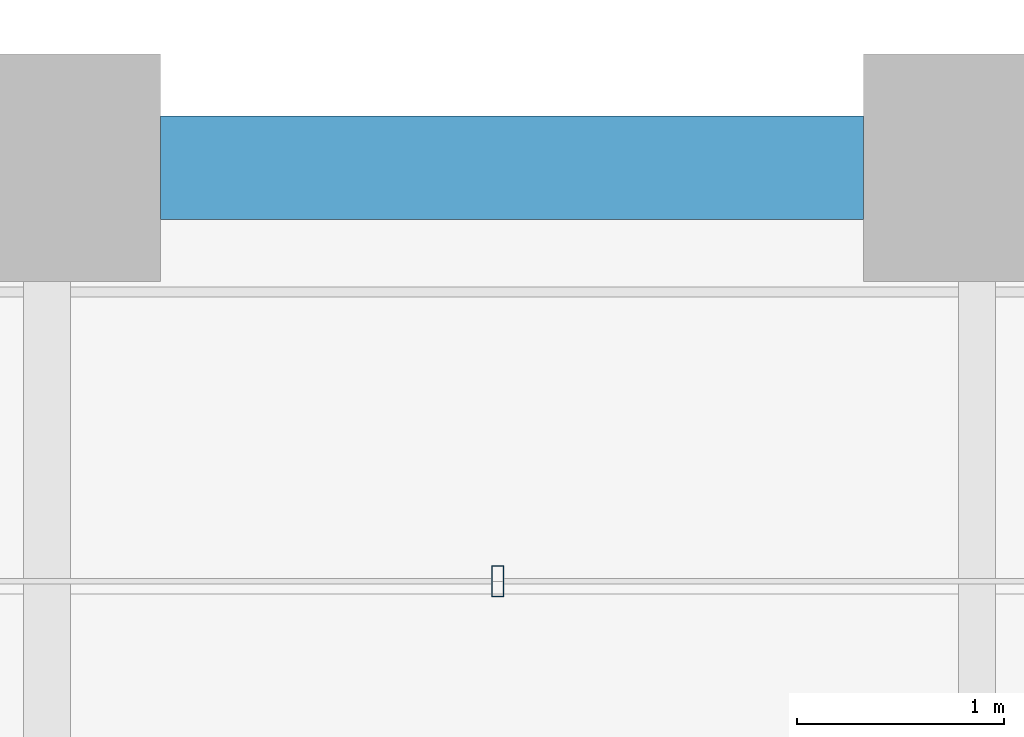
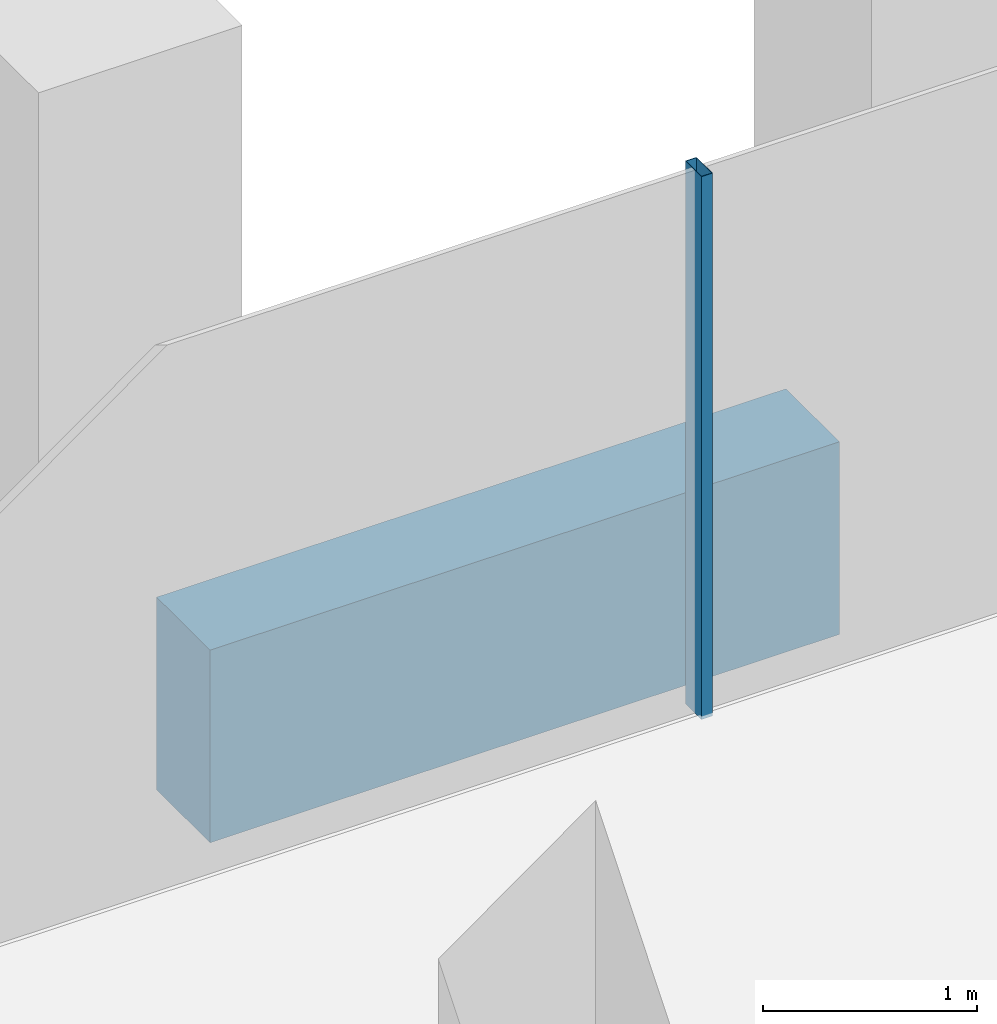
# One storey, part 42 of 56: 1 beam, 1 member, 1 element without a shape of its own.
"""IFC4 building model written with IfcOpenShell, lengths in metres."""

import ifcopenshell
import ifcopenshell.guid

model = None  # the IFC model being written
_history = None  # IfcOwnerHistory: only IFC2X3 demands one
_inside = {}  # id of a spatial element -> (the spatial element, [elements in it])
_under = {}  # id of a project, library or spatial element -> (it, [spatial elements below it])
_declared = {}  # id of a project -> (the project, [libraries it declares])
_typed = {}  # id of a type object -> (the type object, [elements of that type])
_made_of = {}  # id of a material, layer set ... -> (it, [elements and type objects made of it])


def new_model(schema):
    """Start an empty IFC model of exactly this schema.

    Asked for "IFC4X3", IfcOpenShell would pick the latest addendum, in which some entities
    have other attributes; the version numbers below select the first issue.
    IFC2X3 requires an IfcOwnerHistory on every rooted entity: one is made here for all.
    """
    global model, _history
    if schema == "IFC4X3":
        model = ifcopenshell.file(schema_version=(4, 3, 0, 0))
    else:
        model = ifcopenshell.file(schema=schema)
    _inside.clear()
    _under.clear()
    _declared.clear()
    _typed.clear()
    _made_of.clear()
    _history = None
    if model.schema == "IFC2X3":
        org = make("IfcOrganization", Name="unknown")
        user = make(
            "IfcPersonAndOrganization",
            ThePerson=make("IfcPerson", FamilyName="unknown"),
            TheOrganization=org,
        )
        app = make(
            "IfcApplication",
            ApplicationDeveloper=org,
            Version="unknown",
            ApplicationFullName="unknown",
            ApplicationIdentifier="unknown",
        )
        _history = make(
            "IfcOwnerHistory",
            OwningUser=user,
            OwningApplication=app,
            ChangeAction="ADDED",
            CreationDate=0,
        )
    return model


def make(cls, **values):
    """One entity of the class cls with the attributes given. An attribute that is None is left unset."""
    return model.create_entity(
        cls, **{name: value for name, value in values.items() if value is not None}
    )


def rooted(cls, **values):
    """An entity with a GlobalId (a new one), such as an element, a storey or a relation."""
    return make(cls, GlobalId=ifcopenshell.guid.new(), OwnerHistory=_history, **values)


def si_unit(unit_type, name, prefix=None):
    """IfcSIUnit, for example si_unit("LENGTHUNIT", "METRE", prefix="MILLI")."""
    return make("IfcSIUnit", UnitType=unit_type, Prefix=prefix, Name=name)


def assignment(units):
    """IfcUnitAssignment: the units of a project."""
    return None if units is None else make("IfcUnitAssignment", Units=units)


def point(xyz):
    """IfcCartesianPoint."""
    return None if xyz is None else make("IfcCartesianPoint", Coordinates=xyz)


def direction(xyz):
    """IfcDirection."""
    return None if xyz is None else make("IfcDirection", DirectionRatios=xyz)


def frame(location, z_axis=None, x_axis=None):
    """IfcAxis2Placement3D, a coordinate frame: its origin and axes. An axis left out is left unset."""
    return make(
        "IfcAxis2Placement3D",
        Location=point(location),
        Axis=direction(z_axis),
        RefDirection=direction(x_axis),
    )


def frame_2d(location, x_axis=None):
    """IfcAxis2Placement2D, a coordinate frame in the plane: its origin and x axis."""
    return make(
        "IfcAxis2Placement2D", Location=point(location), RefDirection=direction(x_axis)
    )


def origin():
    """The frame at (0, 0, 0) with its axes left unset."""
    return frame((0.0, 0.0, 0.0))


def origin_2d():
    """The frame at (0, 0) in the plane with its x axis left unset."""
    return frame_2d((0.0, 0.0))


def place(relative_to, where):
    """IfcLocalPlacement: puts the frame where relative to a parent placement (None: the world)."""
    return make(
        "IfcLocalPlacement", PlacementRelTo=relative_to, RelativePlacement=where
    )


def context(
    kind, dimensions, precision=None, world=None, true_north=None, identifier=None
):
    """IfcGeometricRepresentationContext, for example the 3D "Model" context."""
    return make(
        "IfcGeometricRepresentationContext",
        ContextIdentifier=identifier,
        ContextType=kind,
        CoordinateSpaceDimension=dimensions,
        Precision=precision,
        WorldCoordinateSystem=world,
        TrueNorth=true_north,
    )


def subcontext(parent, identifier, kind, view, scale=None):
    """IfcGeometricRepresentationSubContext, for example "Body" below "Model"."""
    return make(
        "IfcGeometricRepresentationSubContext",
        ContextIdentifier=identifier,
        ContextType=kind,
        ParentContext=parent,
        TargetScale=scale,
        TargetView=view,
    )


def project(units=None, contexts=None):
    """IfcProject with its units and contexts."""
    return rooted(
        "IfcProject",
        Name="project",
        RepresentationContexts=contexts,
        UnitsInContext=assignment(units),
    )


def spatial(cls, under=None, at=None, **own):
    """A site, building, storey or space (cls), placed at a placement, below another one or the project."""
    s = rooted(cls, ObjectPlacement=at, **own)
    if under is not None:
        _under.setdefault(under.id(), (under, []))[1].append(s)
    return s


def profile(cls, at=None, kind="AREA", **sizes):
    """A parametric profile (cls). Its sizes go by their IFC names, for example OverallWidth=200.0."""
    return make(cls, ProfileType=kind, Position=at, **sizes)


def rectangle(**sizes):
    """IfcRectangleProfileDef."""
    return profile("IfcRectangleProfileDef", **sizes)


def hollow_rectangle(**sizes):
    """IfcRectangleHollowProfileDef."""
    return profile("IfcRectangleHollowProfileDef", **sizes)


def extrude(swept, where, along, depth):
    """IfcExtrudedAreaSolid: the profile swept, set in the frame where, extruded along a direction by depth."""
    return make(
        "IfcExtrudedAreaSolid",
        SweptArea=swept,
        Position=where,
        ExtrudedDirection=direction(along),
        Depth=depth,
    )


def shape(context_of_items, identifier, shape_type, items):
    """IfcShapeRepresentation: the items that make up one representation, for example the "Body"."""
    return make(
        "IfcShapeRepresentation",
        ContextOfItems=context_of_items,
        RepresentationIdentifier=identifier,
        RepresentationType=shape_type,
        Items=items,
    )


def material(Name=None, Category=None):
    """IfcMaterial."""
    return make("IfcMaterial", Name=Name, Category=Category)


def material_profile(
    of_material, cross_section, Name=None, Category=None, Priority=None
):
    """IfcMaterialProfile: a cross section and its material."""
    return make(
        "IfcMaterialProfile",
        Name=Name,
        Material=of_material,
        Profile=cross_section,
        Priority=Priority,
        Category=Category,
    )


def profile_set(profiles, Name=None, composite=None):
    """IfcMaterialProfileSet."""
    return make(
        "IfcMaterialProfileSet",
        Name=Name,
        MaterialProfiles=profiles,
        CompositeProfile=composite,
    )


def made_of(thing, what):
    """Note that an element or type object is made of a material, layer set ...; save() writes the relation."""
    if what is not None:
        _made_of.setdefault(what.id(), (what, []))[1].append(thing)
    return thing


def type_object(cls, material=None, **own):
    """A type object (cls), such as IfcWallType, which elements share."""
    return made_of(rooted(cls, **own), material)


def element(
    cls,
    number,
    at=None,
    inside=None,
    cuts=None,
    type_object=None,
    material=None,
    context=None,
    identifier="Body",
    shape_type=None,
    held_by="IfcProductDefinitionShape",
    body=None,
    shapes=None,
    **own,
):
    """One element of the class cls, such as IfcWall. Its Tag is "e" and its number.

    at: its placement. inside: the storey or other place that contains it. cuts: it is an
    opening in that element (IfcRelVoidsElement). A single representation is given by context,
    identifier, shape_type and body (its items); several are given by shapes. held_by: the class
    of the entity that holds the representations. save() writes the other relations.
    """
    e = rooted(cls, Tag="e%d" % number, ObjectPlacement=at, **own)
    if body is not None:
        shapes = [shape(context, identifier, shape_type, body)]
    if shapes is not None:
        e.Representation = make(held_by, Representations=shapes)
    if inside is not None:
        _inside.setdefault(inside.id(), (inside, []))[1].append(e)
    if cuts is not None:
        rooted(
            "IfcRelVoidsElement", RelatingBuildingElement=cuts, RelatedOpeningElement=e
        )
    if type_object is not None:
        _typed.setdefault(type_object.id(), (type_object, []))[1].append(e)
    return made_of(e, material)


def aggregate(whole, parts):
    """IfcRelAggregates: a whole, such as a stair, and the parts it consists of."""
    return rooted("IfcRelAggregates", RelatingObject=whole, RelatedObjects=parts)


def save(model, path):
    """Write the relations noted so far, then the file.

    IfcRelAggregates (storeys below a building ...), IfcRelContainedInSpatialStructure (elements
    in a storey), IfcRelDefinesByType, IfcRelAssociatesMaterial and IfcRelDeclares: one each for
    every whole, place, type object, material and project.
    """
    for whole, parts in _under.values():
        aggregate(whole, parts)
    for where, things in _inside.values():
        rooted(
            "IfcRelContainedInSpatialStructure",
            RelatedElements=things,
            RelatingStructure=where,
        )
    for kind, things in _typed.values():
        rooted("IfcRelDefinesByType", RelatedObjects=things, RelatingType=kind)
    for what, things in _made_of.values():
        rooted("IfcRelAssociatesMaterial", RelatedObjects=things, RelatingMaterial=what)
    for by, libraries in _declared.values():
        rooted("IfcRelDeclares", RelatingContext=by, RelatedDefinitions=libraries)
    model.write(path)


model = new_model("IFC4")

# Units and contexts
model_context = context("Model", 3, precision=1e-05, world=origin(), true_north=direction((0.0, 1.0)))
body_context = subcontext(model_context, "Body", "Model", "MODEL_VIEW")
ifc_project = project(units=[si_unit("LENGTHUNIT", "METRE"), si_unit("AREAUNIT", "SQUARE_METRE"), si_unit("VOLUMEUNIT", "CUBIC_METRE"), si_unit("PLANEANGLEUNIT", "RADIAN"), si_unit("MASSUNIT", "GRAM", prefix="KILO")], contexts=[model_context])

# Site, building, storey
site_placement = place(None, origin())
site = spatial("IfcSite", under=ifc_project, at=site_placement, CompositionType="ELEMENT")
building_placement = place(site_placement, origin())
building = spatial("IfcBuilding", under=site, at=building_placement, Name="Altepetl Exchange Towers", CompositionType="ELEMENT")
storey_placement = place(building_placement, frame((0.0, 0.0, 83.39990234375)))
storey = spatial("IfcBuildingStorey", under=building, at=storey_placement, Name="L20", CompositionType="ELEMENT", Elevation=83.39990234375)

# Curtain wall, member
ifc_material_1 = material(Name="Aluminium 6063-T6 glazing", Category="aluminium")
curtain_wall_type = type_object("IfcCurtainWallType", Name="Loggia glazing system", PredefinedType="NOTDEFINED", material=ifc_material_1)
curtain_wall_placement = place(storey_placement, origin())
curtain_wall = element("IfcCurtainWall", 1, at=curtain_wall_placement, inside=storey, type_object=curtain_wall_type, Name="CW1 run", PredefinedType="NOTDEFINED")
ifc_material_2 = material(Name="Aluminium 6063-T6", Category="aluminium")
ifc_material_profile_1 = material_profile(ifc_material_2, hollow_rectangle(XDim=0.06005859375, YDim=0.14990234375, WallThickness=0.0029296875, at=origin_2d()), Name="Mullion 60x150 aluminium")
ifc_profile_set_1 = profile_set([ifc_material_profile_1], Name="Aluminium 6063-T6")
member_type = type_object("IfcMemberType", Name="Mullion 60x150 aluminium", PredefinedType="MULLION", material=ifc_profile_set_1)
member_placement = place(storey_placement, frame((105.68115234375, 56.5, 0.0), z_axis=(0.0, 0.0, 1.0), x_axis=(-1.0, 0.0, 0.0)))
member = element("IfcMember", 2, at=member_placement, type_object=member_type, Name="MU1 mullion", PredefinedType="MULLION", context=body_context, shape_type="SweptSolid", body=[
    extrude(hollow_rectangle(XDim=0.06005859375, YDim=0.14990234375, WallThickness=0.0029296875, at=origin_2d()), origin(), (0.0, 0.0, 1.0), 3.10009765625),
])
aggregate(curtain_wall, [member])

# Beam
ifc_material_3 = material(Name="Concrete C50/60 precast with cantera amarilla facing", Category="concrete")
ifc_material_profile_2 = material_profile(ifc_material_3, rectangle(XDim=0.5, YDim=1.10009765625, at=origin_2d()), Name="500 x 1100")
ifc_profile_set_2 = profile_set([ifc_material_profile_2], Name="Concrete C50/60 precast with cantera amarilla facing")
beam_type = type_object("IfcBeamType", Name="Spandrel beam 500x1100 cantera amarilla", PredefinedType="SPANDREL", material=ifc_profile_set_2)
beam_placement = place(storey_placement, frame((107.449951171875, 58.5, -0.699951171875), z_axis=(-1.0, 0.0, 0.0), x_axis=(0.0, -1.0, 0.0)))
element("IfcBeam", 3, at=beam_placement, inside=storey, type_object=beam_type, Name="sp:B:L20:021", PredefinedType="SPANDREL", context=body_context, shape_type="SweptSolid", body=[
    extrude(rectangle(XDim=0.5, YDim=1.10009765625, at=origin_2d()), origin(), (0.0, 0.0, 1.0), 3.39990234375),
])

save(model, "model.ifc")
